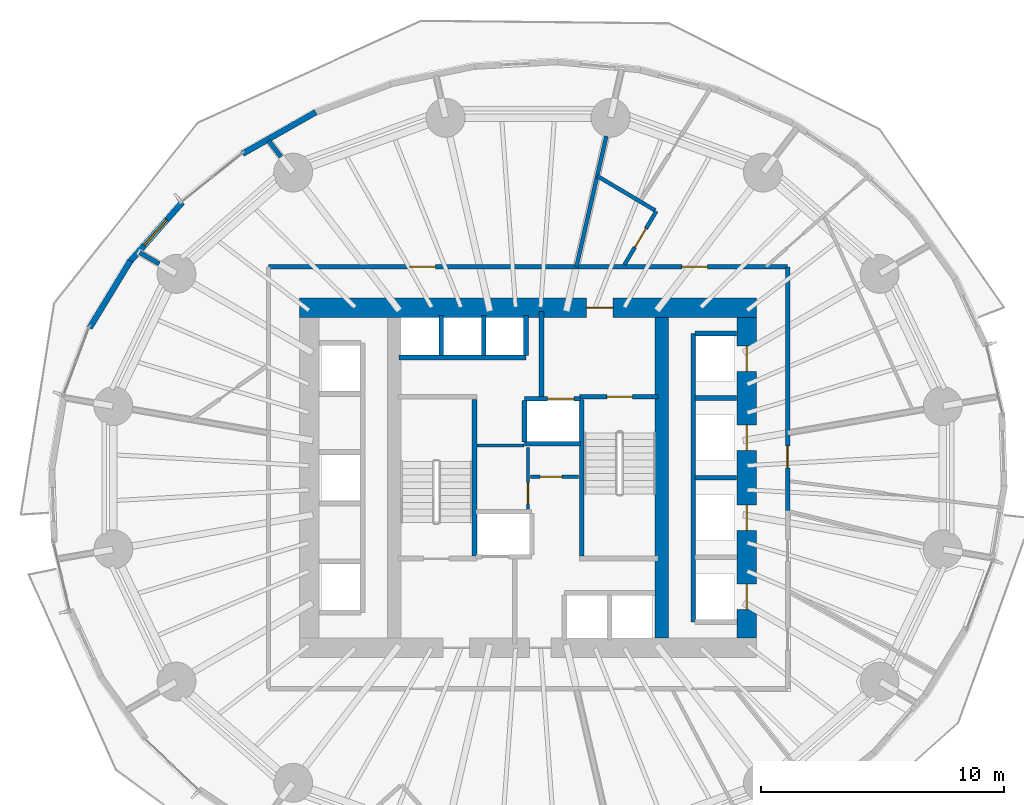
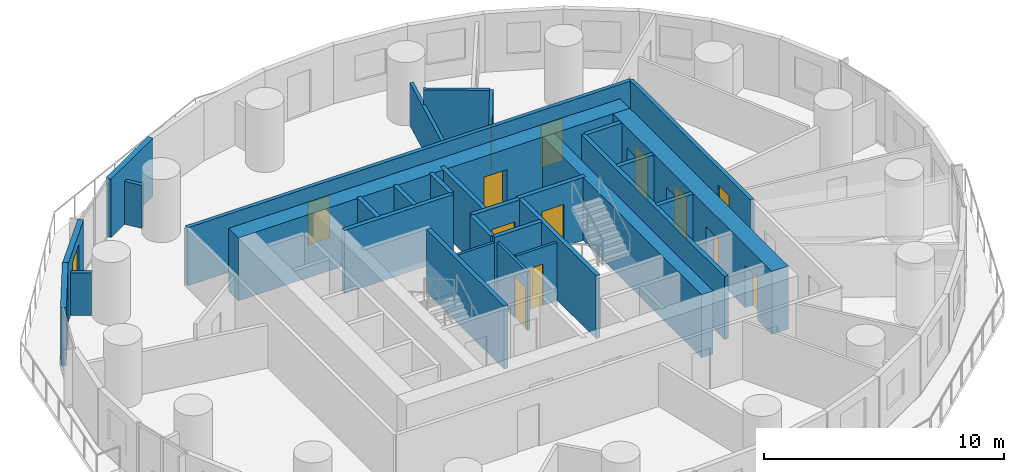
# One storey, part 8 of 14: 31 walls, 13 doors, 1 window, 14 openings.
"""IFC4 building model written with IfcOpenShell, lengths in metres."""

from ifc_helpers import new_model, si_unit, direction, frame, frame_2d, origin, place, context, subcontext, project, spatial, rectangle, extrude, material, layer, layer_set, type_object, element, fill, save


model = new_model("IFC4")

# Units and contexts
model_context = context("Model", 3, precision=1e-05, world=origin(), true_north=direction((0.0, 1.0)))
body_context = subcontext(model_context, "Body", "Model", "MODEL_VIEW")
ifc_project = project(units=[si_unit("LENGTHUNIT", "METRE"), si_unit("AREAUNIT", "SQUARE_METRE"), si_unit("VOLUMEUNIT", "CUBIC_METRE"), si_unit("PLANEANGLEUNIT", "RADIAN"), si_unit("MASSUNIT", "GRAM", prefix="KILO")], contexts=[model_context])

# Site, building, storey
site_placement = place(None, origin())
site = spatial("IfcSite", under=ifc_project, at=site_placement, CompositionType="ELEMENT")
building_placement = place(site_placement, origin())
building = spatial("IfcBuilding", under=site, at=building_placement, Name="Veldorim Arch Residences", CompositionType="ELEMENT")
storey_placement = place(building_placement, frame((0.0, 0.0, 40.800048828125)))
storey = spatial("IfcBuildingStorey", under=building, at=storey_placement, Name="L11", CompositionType="ELEMENT", Elevation=40.800048828125)

# Wall, opening, door
ifc_material_1 = material(Name="Acoustic Gypsum Board", Category="gypsum")
ifc_layer_1 = layer(ifc_material_1, 0.125, Name="Acoustic Stud Room Partition Wall 125")
ifc_layer_set_1 = layer_set([ifc_layer_1], Name="Acoustic Gypsum Board")
wall_type_1 = type_object("IfcWallType", Name="Acoustic Stud Room Partition Wall 125", PredefinedType="PARTITIONING", material=ifc_layer_set_1)
wall_1_placement = place(storey_placement, frame((32.0, 22.719970703125, 0.0), z_axis=(0.0, 0.0, 1.0), x_axis=(0.0, 1.0, 0.0)))
wall_1 = element("IfcWall", 1, at=wall_1_placement, inside=storey, type_object=wall_type_1, Name="L11 interior wall WL-CA-L11-1", PredefinedType="PARTITIONING", context=body_context, shape_type="SweptSolid", body=[
    extrude(rectangle(XDim=2.52001953125, YDim=0.125, at=frame_2d((1.260009765625, 0.0))), origin(), (0.0, 0.0, 1.0), 2.954833984375),
])
opening_1_placement = place(wall_1_placement, frame((0.179931640625, 0.0, 0.0)))
opening_1 = element("IfcOpeningElement", 2, at=opening_1_placement, cuts=wall_1, Name="Opening DR-SVC", PredefinedType="OPENING", context=body_context, shape_type="SweptSolid", body=[
    extrude(rectangle(XDim=0.89990234375, YDim=2.10009765625, at=frame_2d((0.449951171875, 1.050048828125))), frame((0.0, 0.072509765625, 0.0), z_axis=(0.0, -1.0, 0.0), x_axis=(1.0, 0.0, 0.0)), (0.0, 0.0, 1.0), 0.14501953125),
])
ifc_material_2 = material(Name="Fire-Rated Steel", Category="steel")
door_type_1 = type_object("IfcDoorType", Name="Riser, Shelter & Plant Room Rated Steel Door 900x2100", OperationType="SINGLE_SWING_LEFT", PredefinedType="DOOR", material=ifc_material_2)
door_1_placement = place(opening_1_placement, origin())
door_1 = element("IfcDoor", 3, at=door_1_placement, inside=storey, type_object=door_type_1, Name="L11 interior door DR-L11-CA2", OperationType="SINGLE_SWING_RIGHT", OverallHeight=2.10009765625, OverallWidth=0.89990234375, PredefinedType="DOOR", context=body_context, shape_type="SweptSolid", body=[
    extrude(rectangle(XDim=0.89990234375, YDim=2.10009765625, at=frame_2d((0.449951171875, 1.050048828125))), frame((0.0, 0.02490234375, 0.0), z_axis=(0.0, -1.0, 0.0), x_axis=(1.0, 0.0, 0.0)), (0.0, 0.0, 1.0), 0.050048828125),
])
fill(opening_1, door_1)

wall_2_placement = place(storey_placement, frame((32.110107421875, 24.0400390625, 0.0), z_axis=(0.0, 0.0, 1.0), x_axis=(1.0, 0.0, 0.0)))
wall_2 = element("IfcWall", 4, at=wall_2_placement, inside=storey, type_object=wall_type_1, Name="L11 interior wall WL-CA-L11-3", PredefinedType="PARTITIONING", context=body_context, shape_type="SweptSolid", body=[
    extrude(rectangle(XDim=1.969970703125, YDim=0.125, at=frame_2d((0.98486328125, 0.0))), origin(), (0.0, 0.0, 1.0), 2.954833984375),
])
opening_2_placement = place(wall_2_placement, frame((0.389892578125, 0.0, 0.0)))
opening_2 = element("IfcOpeningElement", 5, at=opening_2_placement, cuts=wall_2, Name="Opening DR-INT", PredefinedType="OPENING", context=body_context, shape_type="SweptSolid", body=[
    extrude(rectangle(XDim=0.89990234375, YDim=2.10009765625, at=frame_2d((0.449951171875, 1.050048828125))), frame((0.0, 0.072509765625, 0.0), z_axis=(0.0, -1.0, 0.0), x_axis=(1.0, 0.0, 0.0)), (0.0, 0.0, 1.0), 0.14501953125),
])
ifc_material_3 = material(Name="Engineered Timber", Category="wood")
door_type_2 = type_object("IfcDoorType", Name="Apartment Internal Room Timber Door 900x2100", OperationType="SINGLE_SWING_LEFT", PredefinedType="DOOR", material=ifc_material_3)
door_2_placement = place(opening_2_placement, origin())
door_2 = element("IfcDoor", 6, at=door_2_placement, inside=storey, type_object=door_type_2, Name="L11 interior door DR-L11-CA1", OperationType="SINGLE_SWING_LEFT", OverallHeight=2.10009765625, OverallWidth=0.89990234375, PredefinedType="DOOR", context=body_context, shape_type="SweptSolid", body=[
    extrude(rectangle(XDim=0.89990234375, YDim=2.10009765625, at=frame_2d((0.449951171875, 1.050048828125))), frame((0.0, 0.02490234375, 0.0), z_axis=(0.0, -1.0, 0.0), x_axis=(1.0, 0.0, 0.0)), (0.0, 0.0, 1.0), 0.050048828125),
])
fill(opening_2, door_2)

# Walls
wall_3_placement = place(storey_placement, frame((29.889892578125, 25.330078125, 0.0), z_axis=(0.0, 0.0, 1.0), x_axis=(1.0, 0.0, 0.0)))
element("IfcWall", 7, at=wall_3_placement, inside=storey, type_object=wall_type_1, Name="L11 interior wall WL-CA-L11-N", PredefinedType="PARTITIONING", context=body_context, shape_type="SweptSolid", body=[
    extrude(rectangle(XDim=1.940185546875, YDim=0.125, at=frame_2d((0.97021484375, 0.0))), origin(), (0.0, 0.0, 1.0), 2.954833984375),
])
ifc_material_4 = material(Name="Lightweight Masonry Block & Gypsum", Category="masonry")
ifc_layer_2 = layer(ifc_material_4, 0.179931640625, Name="Compartment & Corridor Fire-Rated Party Wall 180")
ifc_layer_set_2 = layer_set([ifc_layer_2], Name="Lightweight Masonry Block & Gypsum")
wall_type_2 = type_object("IfcWallType", Name="Compartment & Corridor Fire-Rated Party Wall 180", PredefinedType="PARTITIONING", material=ifc_layer_set_2)
wall_4_placement = place(storey_placement, frame((21.832763671875, 37.204833984375, 0.0), z_axis=(0.0, 0.0, 1.0), x_axis=(-0.609822176225, 0.792538272504, 0.0)))
element("IfcWall", 8, at=wall_4_placement, inside=storey, type_object=wall_type_2, Name="L11 interior wall WL-PIER-L11-06", PredefinedType="PARTITIONING", context=body_context, shape_type="SweptSolid", body=[
    extrude(rectangle(XDim=0.84716796875, YDim=0.179931640625, at=frame_2d((0.423583984375, 0.0))), origin(), (0.0, 0.0, 1.0), 2.17822265625),
])
wall_5_placement = place(storey_placement, frame((16.822998046875, 32.80029296875, 0.0), z_axis=(0.0, 0.0, 1.0), x_axis=(-0.864965183009, 0.501831876411, 0.0)))
element("IfcWall", 9, at=wall_5_placement, inside=storey, type_object=wall_type_2, Name="L11 interior wall WL-PIER-L11-07", PredefinedType="PARTITIONING", context=body_context, shape_type="SweptSolid", body=[
    extrude(rectangle(XDim=0.93115234375, YDim=0.179931640625, at=frame_2d((0.465576171875, 0.0))), origin(), (0.0, 0.0, 1.0), 2.17822265625),
])

# Wall, opening, door
wall_6_placement = place(storey_placement, frame((42.679931640625, 32.679931640625, 0.0), z_axis=(0.0, 0.0, 1.0), x_axis=(0.0, -1.0, 0.0)))
wall_6 = element("IfcWall", 10, at=wall_6_placement, inside=storey, type_object=wall_type_2, Name="L11 interior wall WL-RES-L11-001", PredefinedType="PARTITIONING", context=body_context, shape_type="SweptSolid", body=[
    extrude(rectangle(XDim=10.06494140625, YDim=0.179931640625, at=frame_2d((5.032470703125, 0.0))), origin(), (0.0, 0.0, 1.0), 2.954833984375),
])
opening_3_placement = place(wall_6_placement, frame((7.3740234375, 0.0, 0.0)))
opening_3 = element("IfcOpeningElement", 11, at=opening_3_placement, cuts=wall_6, Name="Opening DR-SVC", PredefinedType="OPENING", context=body_context, shape_type="SweptSolid", body=[
    extrude(rectangle(XDim=0.89990234375, YDim=2.10009765625, at=frame_2d((0.449951171875, 1.050048828125))), frame((0.0, 0.099853515625, 0.0), z_axis=(0.0, -1.0, 0.0), x_axis=(1.0, 0.0, 0.0)), (0.0, 0.0, 1.0), 0.199951171875),
])
door_3_placement = place(opening_3_placement, origin())
door_3 = element("IfcDoor", 12, at=door_3_placement, inside=storey, type_object=door_type_1, Name="L11 interior door DR-RES-L11-001", OperationType="SINGLE_SWING_LEFT", OverallHeight=2.10009765625, OverallWidth=0.89990234375, PredefinedType="DOOR", context=body_context, shape_type="SweptSolid", body=[
    extrude(rectangle(XDim=0.89990234375, YDim=2.10009765625, at=frame_2d((0.449951171875, 1.050048828125))), frame((0.0, 0.02490234375, 0.0), z_axis=(0.0, -1.0, 0.0), x_axis=(1.0, 0.0, 0.0)), (0.0, 0.0, 1.0), 0.050048828125),
])
fill(opening_3, door_3)

# Wall, openings, doors
wall_7_placement = place(storey_placement, frame((21.320068359375, 32.679931640625, 0.0), z_axis=(0.0, 0.0, 1.0), x_axis=(1.0, 0.0, 0.0)))
wall_7 = element("IfcWall", 13, at=wall_7_placement, inside=storey, type_object=wall_type_2, Name="L11 interior wall WL-RES-L11-004", PredefinedType="PARTITIONING", context=body_context, shape_type="SweptSolid", body=[
    extrude(rectangle(XDim=21.35986328125, YDim=0.179931640625, at=frame_2d((10.679931640625, 0.0))), origin(), (0.0, 0.0, 1.0), 2.954833984375),
])
opening_4_placement = place(wall_7_placement, frame((17.013427734375, 0.0, 0.0)))
opening_4 = element("IfcOpeningElement", 14, at=opening_4_placement, cuts=wall_7, Name="Opening DR-FLT", PredefinedType="OPENING", context=body_context, shape_type="SweptSolid", body=[
    extrude(rectangle(XDim=1.050048828125, YDim=2.14990234375, at=frame_2d((0.52490234375, 1.074951171875))), frame((0.0, 0.099853515625, 0.0), z_axis=(0.0, -1.0, 0.0), x_axis=(1.0, 0.0, 0.0)), (0.0, 0.0, 1.0), 0.199951171875),
])
opening_5_placement = place(wall_7_placement, frame((5.820068359375, 0.0, 0.0)))
opening_5 = element("IfcOpeningElement", 15, at=opening_5_placement, cuts=wall_7, Name="Opening DR-FLT", PredefinedType="OPENING", context=body_context, shape_type="SweptSolid", body=[
    extrude(rectangle(XDim=1.050048828125, YDim=2.14990234375, at=frame_2d((0.52490234375, 1.074951171875))), frame((0.0, 0.099853515625, 0.0), z_axis=(0.0, -1.0, 0.0), x_axis=(1.0, 0.0, 0.0)), (0.0, 0.0, 1.0), 0.199951171875),
])
ifc_material_5 = material(Name="Fire-Rated Timber", Category="wood")
door_type_3 = type_object("IfcDoorType", Name="Apartment Entrance Solid-Core Fire Door 1050x2150", OperationType="SINGLE_SWING_LEFT", PredefinedType="DOOR", material=ifc_material_5)
door_4_placement = place(opening_4_placement, origin())
door_4 = element("IfcDoor", 16, at=door_4_placement, inside=storey, type_object=door_type_3, Name="L11 interior door DR-RES-L11-007", OperationType="SINGLE_SWING_LEFT", OverallHeight=2.14990234375, OverallWidth=1.050048828125, PredefinedType="DOOR", context=body_context, shape_type="SweptSolid", body=[
    extrude(rectangle(XDim=1.050048828125, YDim=2.14990234375, at=frame_2d((0.52490234375, 1.074951171875))), frame((0.0, 0.02490234375, 0.0), z_axis=(0.0, -1.0, 0.0), x_axis=(1.0, 0.0, 0.0)), (0.0, 0.0, 1.0), 0.050048828125),
])
fill(opening_4, door_4)
door_5_placement = place(opening_5_placement, origin())
door_5 = element("IfcDoor", 17, at=door_5_placement, inside=storey, type_object=door_type_3, Name="L11 interior door DR-RES-L11-012", OperationType="SINGLE_SWING_RIGHT", OverallHeight=2.14990234375, OverallWidth=1.050048828125, PredefinedType="DOOR", context=body_context, shape_type="SweptSolid", body=[
    extrude(rectangle(XDim=1.050048828125, YDim=2.14990234375, at=frame_2d((0.52490234375, 1.074951171875))), frame((0.0, 0.02490234375, 0.0), z_axis=(0.0, -1.0, 0.0), x_axis=(1.0, 0.0, 0.0)), (0.0, 0.0, 1.0), 0.050048828125),
])
fill(opening_5, door_5)

# Walls
ifc_material_6 = material(Name="Concrete C50/60", Category="concrete")
ifc_layer_3 = layer(ifc_material_6, 0.199951171875, Name="Core Stair & Lift Shaft Enclosure Wall 200")
ifc_layer_set_3 = layer_set([ifc_layer_3], Name="Concrete C50/60")
wall_type_3 = type_object("IfcWallType", Name="Core Stair & Lift Shaft Enclosure Wall 200", PredefinedType="SHEAR", material=ifc_layer_set_3)
for number, where, z_axis, x_axis, name in (
    (18, (29.7900390625, 20.780029296875, 0.0), (0.0, 0.0, 1.0), (0.0, 1.0, 0.0), "L11 shaft wall WL-SHF-L11-ST1-E"),
    (19, (34.2099609375, 20.780029296875, 0.0), (0.0, 0.0, 1.0), (0.0, 1.0, 0.0), "L11 shaft wall WL-SHF-L11-ST2-W"),
):
    element("IfcWall", number, at=place(storey_placement, frame(where, z_axis=z_axis, x_axis=x_axis)), inside=storey, type_object=wall_type_3, Name=name, PredefinedType="SHEAR", context=body_context, shape_type="SweptSolid", body=[
        extrude(rectangle(XDim=6.43994140625, YDim=0.199951171875, at=frame_2d((3.219970703125, 0.0))), origin(), (0.0, 0.0, 1.0), 3.199951171875),
    ])

# Wall, opening, door
wall_8_placement = place(storey_placement, frame((34.110107421875, 27.330078125, 0.0), z_axis=(0.0, 0.0, 1.0), x_axis=(1.0, 0.0, 0.0)))
wall_8 = element("IfcWall", 20, at=wall_8_placement, inside=storey, type_object=wall_type_3, Name="L11 shaft wall WL-SHF-L11-ST2-N", PredefinedType="SHEAR", context=body_context, shape_type="SweptSolid", body=[
    extrude(rectangle(XDim=3.239990234375, YDim=0.199951171875, at=frame_2d((1.6201171875, 0.0))), origin(), (0.0, 0.0, 1.0), 3.199951171875),
])
opening_6_placement = place(wall_8_placement, frame((1.135009765625, 0.0, 0.0)))
opening_6 = element("IfcOpeningElement", 21, at=opening_6_placement, cuts=wall_8, Name="Opening DR-ST", PredefinedType="OPENING", context=body_context, shape_type="SweptSolid", body=[
    extrude(rectangle(XDim=1.050048828125, YDim=2.14990234375, at=frame_2d((0.52490234375, 1.074951171875))), frame((0.0, 0.10986328125, 0.0), z_axis=(0.0, -1.0, 0.0), x_axis=(1.0, 0.0, 0.0)), (0.0, 0.0, 1.0), 0.219970703125),
])
ifc_material_7 = material(Name="Fire-Rated Steel", Category="steel")
door_type_4 = type_object("IfcDoorType", Name="Exit Staircase Self-Closing Fire Door 1050x2150", OperationType="SINGLE_SWING_LEFT", PredefinedType="DOOR", material=ifc_material_7)
door_6_placement = place(opening_6_placement, origin())
door_6 = element("IfcDoor", 22, at=door_6_placement, inside=storey, type_object=door_type_4, Name="L11 interior door DR-L11-ST2", OperationType="SINGLE_SWING_RIGHT", OverallHeight=2.14990234375, OverallWidth=1.050048828125, PredefinedType="DOOR", context=body_context, shape_type="SweptSolid", body=[
    extrude(rectangle(XDim=1.050048828125, YDim=2.14990234375, at=frame_2d((0.52490234375, 1.074951171875))), frame((0.0, 0.02490234375, 0.0), z_axis=(0.0, -1.0, 0.0), x_axis=(1.0, 0.0, 0.0)), (0.0, 0.0, 1.0), 0.050048828125),
])
fill(opening_6, door_6)

# Wall
wall_9_placement = place(storey_placement, frame((32.550048828125, 27.35009765625, 0.0), z_axis=(0.0, 0.0, 1.0), x_axis=(0.0, 1.0, 0.0)))
element("IfcWall", 23, at=wall_9_placement, inside=storey, type_object=wall_type_3, Name="L11 shaft wall WL-FFL2-L11-W", PredefinedType="SHEAR", context=body_context, shape_type="SweptSolid", body=[
    extrude(rectangle(XDim=3.5, YDim=0.199951171875, at=frame_2d((1.75, 0.0))), origin(), (0.0, 0.0, 1.0), 3.199951171875),
])

# Wall, opening, door
wall_10_placement = place(storey_placement, frame((31.85009765625, 27.25, 0.0), z_axis=(0.0, 0.0, 1.0), x_axis=(1.0, 0.0, 0.0)))
wall_10 = element("IfcWall", 24, at=wall_10_placement, inside=storey, type_object=wall_type_3, Name="L11 shaft wall WL-FL02-L11-N", PredefinedType="SHEAR", context=body_context, shape_type="SweptSolid", body=[
    extrude(rectangle(XDim=2.2998046875, YDim=0.199951171875, at=frame_2d((1.14990234375, 0.0))), origin(), (0.0, 0.0, 1.0), 3.199951171875),
])
opening_7_placement = place(wall_10_placement, frame((0.949951171875, 0.0, 0.0)))
opening_7 = element("IfcOpeningElement", 25, at=opening_7_placement, cuts=wall_10, Name="Opening LD-FF", PredefinedType="OPENING", context=body_context, shape_type="SweptSolid", body=[
    extrude(rectangle(XDim=1.10009765625, YDim=2.14990234375, at=frame_2d((0.550048828125, 1.074951171875))), frame((0.0, 0.10986328125, 0.0), z_axis=(0.0, -1.0, 0.0), x_axis=(1.0, 0.0, 0.0)), (0.0, 0.0, 1.0), 0.219970703125),
])
ifc_material_8 = material(Name="Stainless Steel", Category="steel")
door_type_5 = type_object("IfcDoorType", Name="Firefighting Lift Bi-Parting Sliding Landing Door 1100x2150", OperationType="DOUBLE_DOOR_SLIDING", PredefinedType="DOOR", material=ifc_material_8)
door_7_placement = place(opening_7_placement, origin())
door_7 = element("IfcDoor", 26, at=door_7_placement, inside=storey, type_object=door_type_5, Name="L11 lift landing door LD-L11-FL02", OperationType="DOUBLE_DOOR_SLIDING", OverallHeight=2.14990234375, OverallWidth=1.10009765625, PredefinedType="DOOR", context=body_context, shape_type="SweptSolid", body=[
    extrude(rectangle(XDim=1.10009765625, YDim=2.14990234375, at=frame_2d((0.550048828125, 1.074951171875))), frame((0.0, 0.02490234375, 0.0), z_axis=(0.0, -1.0, 0.0), x_axis=(1.0, 0.0, 0.0)), (0.0, 0.0, 1.0), 0.050048828125),
])
fill(opening_7, door_7)

# Walls
wall_11_placement = place(storey_placement, frame((31.85009765625, 25.39990234375, 0.0), z_axis=(0.0, 0.0, 1.0), x_axis=(1.0, 0.0, 0.0)))
element("IfcWall", 27, at=wall_11_placement, inside=storey, type_object=wall_type_3, Name="L11 shaft wall WL-FL02-L11-S", PredefinedType="SHEAR", context=body_context, shape_type="SweptSolid", body=[
    extrude(rectangle(XDim=2.2998046875, YDim=0.199951171875, at=frame_2d((1.14990234375, 0.0))), origin(), (0.0, 0.0, 1.0), 3.199951171875),
])
wall_12_placement = place(storey_placement, frame((31.85009765625, 25.469970703125, 0.0), z_axis=(0.0, 0.0, 1.0), x_axis=(0.0, 1.0, 0.0)))
element("IfcWall", 28, at=wall_12_placement, inside=storey, type_object=wall_type_3, Name="L11 shaft wall WL-FL02-L11-W", PredefinedType="SHEAR", context=body_context, shape_type="SweptSolid", body=[
    extrude(rectangle(XDim=1.7099609375, YDim=0.199951171875, at=frame_2d((0.85498046875, 0.0))), origin(), (0.0, 0.0, 1.0), 3.199951171875),
])
wall_13_placement = place(storey_placement, frame((38.800048828125, 18.06005859375, 0.0), z_axis=(0.0, 0.0, 1.0), x_axis=(0.0, 1.0, 0.0)))
element("IfcWall", 29, at=wall_13_placement, inside=storey, type_object=wall_type_3, Name="L11 shaft wall WL-B1-L11-W", PredefinedType="SHEAR", context=body_context, shape_type="SweptSolid", body=[
    extrude(rectangle(XDim=11.8798828125, YDim=0.199951171875, at=frame_2d((5.93994140625, 0.0))), origin(), (0.0, 0.0, 1.0), 3.199951171875),
])
for number, where, z_axis, x_axis, name in (
    (30, (38.8701171875, 29.93994140625, 0.0), (0.0, 0.0, 1.0), (1.0, 0.0, 0.0), "L11 shaft wall WL-B1-L11-N"),
    (31, (38.8701171875, 24.0, 0.0), (0.0, 0.0, 1.0), (1.0, 0.0, 0.0), "L11 shaft wall WL-B1-L11-D2"),
    (32, (38.8701171875, 27.27490234375, 0.0), (0.0, 0.0, 1.0), (1.0, 0.0, 0.0), "L11 shaft wall WL-B1-L11-D3"),
):
    element("IfcWall", number, at=place(storey_placement, frame(where, z_axis=z_axis, x_axis=x_axis)), inside=storey, type_object=wall_type_3, Name=name, PredefinedType="SHEAR", context=body_context, shape_type="SweptSolid", body=[
        extrude(rectangle(XDim=1.7099609375, YDim=0.199951171875, at=frame_2d((0.85498046875, 0.0))), origin(), (0.0, 0.0, 1.0), 3.199951171875),
    ])
wall_14_placement = place(storey_placement, frame((26.679931640625, 28.949951171875, 0.0), z_axis=(0.0, 0.0, 1.0), x_axis=(1.0, 0.0, 0.0)))
element("IfcWall", 33, at=wall_14_placement, inside=storey, type_object=wall_type_3, Name="L11 shaft wall WL-B3-L11-S", PredefinedType="SHEAR", context=body_context, shape_type="SweptSolid", body=[
    extrude(rectangle(XDim=5.239990234375, YDim=0.199951171875, at=frame_2d((2.6201171875, 0.0))), origin(), (0.0, 0.0, 1.0), 3.199951171875),
])
for number, where, z_axis, x_axis, name in (
    (34, (31.919921875, 29.02001953125, 0.0), (0.0, 0.0, 1.0), (0.0, 1.0, 0.0), "L11 shaft wall WL-B3-L11-E"),
    (35, (28.425048828125, 29.02001953125, 0.0), (0.0, 0.0, 1.0), (0.0, 1.0, 0.0), "L11 shaft wall WL-B3-L11-D1"),
    (36, (30.175048828125, 29.02001953125, 0.0), (0.0, 0.0, 1.0), (0.0, 1.0, 0.0), "L11 shaft wall WL-B3-L11-D2"),
):
    element("IfcWall", number, at=place(storey_placement, frame(where, z_axis=z_axis, x_axis=x_axis)), inside=storey, type_object=wall_type_3, Name=name, PredefinedType="SHEAR", context=body_context, shape_type="SweptSolid", body=[
        extrude(rectangle(XDim=1.659912109375, YDim=0.199951171875, at=frame_2d((0.830078125, 0.0))), origin(), (0.0, 0.0, 1.0), 3.199951171875),
    ])
ifc_material_9 = material(Name="Concrete C60/75", Category="concrete")
ifc_layer_4 = layer(ifc_material_9, 0.56005859375, Name="Internal Core Shear Web Wall 560")
ifc_layer_set_4 = layer_set([ifc_layer_4], Name="Concrete C60/75")
wall_type_4 = type_object("IfcWallType", Name="Internal Core Shear Web Wall 560", PredefinedType="SHEAR", material=ifc_layer_set_4)
wall_15_placement = place(storey_placement, frame((37.5, 17.39990234375, 0.0), z_axis=(0.0, 0.0, 1.0), x_axis=(0.0, 1.0, 0.0)))
element("IfcWall", 37, at=wall_15_placement, inside=storey, type_object=wall_type_4, Name="L11 core east internal shear web", PredefinedType="SHEAR", context=body_context, shape_type="SweptSolid", body=[
    extrude(rectangle(XDim=13.2001953125, YDim=0.56005859375, at=frame_2d((6.60009765625, 0.0))), origin(), (0.0, 0.0, 1.0), 3.199951171875),
])

# Wall, opening, door
ifc_material_10 = material(Name="Concrete C60/75", Category="concrete")
ifc_layer_5 = layer(ifc_material_10, 0.800048828125, Name="Lower Central Core Shear Wall 800")
ifc_layer_set_5 = layer_set([ifc_layer_5], Name="Concrete C60/75")
wall_type_5 = type_object("IfcWallType", Name="Lower Central Core Shear Wall 800", PredefinedType="SHEAR", material=ifc_layer_set_5)
wall_16_placement = place(storey_placement, frame((22.60009765625, 31.0, 0.0), z_axis=(0.0, 0.0, 1.0), x_axis=(1.0, 0.0, 0.0)))
wall_16 = element("IfcWall", 38, at=wall_16_placement, inside=storey, type_object=wall_type_5, Name="L11 central core north shear wall", PredefinedType="SHEAR", context=body_context, shape_type="SweptSolid", body=[
    extrude(rectangle(XDim=18.7998046875, YDim=0.800048828125, at=frame_2d((9.39990234375, 0.0))), origin(), (0.0, 0.0, 1.0), 3.199951171875),
])
opening_8_placement = place(wall_16_placement, frame((11.800048828125, 0.0, 0.0)))
opening_8 = element("IfcOpeningElement", 39, at=opening_8_placement, cuts=wall_16, Name="Opening DR-FFL", PredefinedType="OPENING", context=body_context, shape_type="SweptSolid", body=[
    extrude(rectangle(XDim=1.10009765625, YDim=2.14990234375, at=frame_2d((0.550048828125, 1.074951171875))), frame((0.0, 0.409912109375, 0.0), z_axis=(0.0, -1.0, 0.0), x_axis=(1.0, 0.0, 0.0)), (0.0, 0.0, 1.0), 0.820068359375),
])
ifc_material_11 = material(Name="Fire-Rated Steel & Vision Glass", Category="steel")
door_type_6 = type_object("IfcDoorType", Name="Firefighting Lobby Smoke-Stop Fire Door 1100x2150", OperationType="SINGLE_SWING_LEFT", PredefinedType="DOOR", material=ifc_material_11)
door_8_placement = place(opening_8_placement, origin())
door_8 = element("IfcDoor", 40, at=door_8_placement, inside=storey, type_object=door_type_6, Name="L11 interior door DR-L11-FFL2", OperationType="SINGLE_SWING_LEFT", OverallHeight=2.14990234375, OverallWidth=1.10009765625, PredefinedType="DOOR", context=body_context, shape_type="SweptSolid", body=[
    extrude(rectangle(XDim=1.10009765625, YDim=2.14990234375, at=frame_2d((0.550048828125, 1.074951171875))), frame((0.0, 0.02490234375, 0.0), z_axis=(0.0, -1.0, 0.0), x_axis=(1.0, 0.0, 0.0)), (0.0, 0.0, 1.0), 0.050048828125),
])
fill(opening_8, door_8)

# Wall, openings, doors
wall_17_placement = place(storey_placement, frame((41.0, 17.39990234375, 0.0), z_axis=(0.0, 0.0, 1.0), x_axis=(0.0, 1.0, 0.0)))
wall_17 = element("IfcWall", 41, at=wall_17_placement, inside=storey, type_object=wall_type_5, Name="L11 central core east shear wall", PredefinedType="SHEAR", context=body_context, shape_type="SweptSolid", body=[
    extrude(rectangle(XDim=13.2001953125, YDim=0.800048828125, at=frame_2d((6.60009765625, 0.0))), origin(), (0.0, 0.0, 1.0), 3.199951171875),
])
opening_9_placement = place(wall_17_placement, frame((1.175048828125, 0.0, 0.0)))
opening_9 = element("IfcOpeningElement", 42, at=opening_9_placement, cuts=wall_17, Name="Opening LD-PS", PredefinedType="OPENING", context=body_context, shape_type="SweptSolid", body=[
    extrude(rectangle(XDim=1.050048828125, YDim=2.14990234375, at=frame_2d((0.52490234375, 1.074951171875))), frame((0.0, 0.409912109375, 0.0), z_axis=(0.0, -1.0, 0.0), x_axis=(1.0, 0.0, 0.0)), (0.0, 0.0, 1.0), 0.820068359375),
])
opening_10_placement = place(wall_17_placement, frame((4.425048828125, 0.0, 0.0)))
opening_10 = element("IfcOpeningElement", 43, at=opening_10_placement, cuts=wall_17, Name="Opening LD-PS", PredefinedType="OPENING", context=body_context, shape_type="SweptSolid", body=[
    extrude(rectangle(XDim=1.050048828125, YDim=2.14990234375, at=frame_2d((0.52490234375, 1.074951171875))), frame((0.0, 0.409912109375, 0.0), z_axis=(0.0, -1.0, 0.0), x_axis=(1.0, 0.0, 0.0)), (0.0, 0.0, 1.0), 0.820068359375),
])
opening_11_placement = place(wall_17_placement, frame((7.72509765625, 0.0, 0.0)))
opening_11 = element("IfcOpeningElement", 44, at=opening_11_placement, cuts=wall_17, Name="Opening LD-PS", PredefinedType="OPENING", context=body_context, shape_type="SweptSolid", body=[
    extrude(rectangle(XDim=1.050048828125, YDim=2.14990234375, at=frame_2d((0.52490234375, 1.074951171875))), frame((0.0, 0.409912109375, 0.0), z_axis=(0.0, -1.0, 0.0), x_axis=(1.0, 0.0, 0.0)), (0.0, 0.0, 1.0), 0.820068359375),
])
opening_12_placement = place(wall_17_placement, frame((10.97509765625, 0.0, 0.0)))
opening_12 = element("IfcOpeningElement", 45, at=opening_12_placement, cuts=wall_17, Name="Opening LD-PS", PredefinedType="OPENING", context=body_context, shape_type="SweptSolid", body=[
    extrude(rectangle(XDim=1.050048828125, YDim=2.14990234375, at=frame_2d((0.52490234375, 1.074951171875))), frame((0.0, 0.409912109375, 0.0), z_axis=(0.0, -1.0, 0.0), x_axis=(1.0, 0.0, 0.0)), (0.0, 0.0, 1.0), 0.820068359375),
])
ifc_material_12 = material(Name="Stainless Steel", Category="steel")
door_type_7 = type_object("IfcDoorType", Name="Passenger Lift Bi-Parting Sliding Landing Door 1050x2150", OperationType="DOUBLE_DOOR_SLIDING", PredefinedType="DOOR", material=ifc_material_12)
door_9_placement = place(opening_9_placement, origin())
door_9 = element("IfcDoor", 46, at=door_9_placement, inside=storey, type_object=door_type_7, Name="L11 lift landing door LD-L11-PL-01", OperationType="DOUBLE_DOOR_SLIDING", OverallHeight=2.14990234375, OverallWidth=1.050048828125, PredefinedType="DOOR", context=body_context, shape_type="SweptSolid", body=[
    extrude(rectangle(XDim=1.050048828125, YDim=2.14990234375, at=frame_2d((0.52490234375, 1.074951171875))), frame((0.0, 0.02490234375, 0.0), z_axis=(0.0, -1.0, 0.0), x_axis=(1.0, 0.0, 0.0)), (0.0, 0.0, 1.0), 0.050048828125),
])
fill(opening_9, door_9)
door_10_placement = place(opening_10_placement, origin())
door_10 = element("IfcDoor", 47, at=door_10_placement, inside=storey, type_object=door_type_7, Name="L11 lift landing door LD-L11-PL-02", OperationType="DOUBLE_DOOR_SLIDING", OverallHeight=2.14990234375, OverallWidth=1.050048828125, PredefinedType="DOOR", context=body_context, shape_type="SweptSolid", body=[
    extrude(rectangle(XDim=1.050048828125, YDim=2.14990234375, at=frame_2d((0.52490234375, 1.074951171875))), frame((0.0, 0.02490234375, 0.0), z_axis=(0.0, -1.0, 0.0), x_axis=(1.0, 0.0, 0.0)), (0.0, 0.0, 1.0), 0.050048828125),
])
fill(opening_10, door_10)
door_11_placement = place(opening_11_placement, origin())
door_11 = element("IfcDoor", 48, at=door_11_placement, inside=storey, type_object=door_type_7, Name="L11 lift landing door LD-L11-PL-03", OperationType="DOUBLE_DOOR_SLIDING", OverallHeight=2.14990234375, OverallWidth=1.050048828125, PredefinedType="DOOR", context=body_context, shape_type="SweptSolid", body=[
    extrude(rectangle(XDim=1.050048828125, YDim=2.14990234375, at=frame_2d((0.52490234375, 1.074951171875))), frame((0.0, 0.02490234375, 0.0), z_axis=(0.0, -1.0, 0.0), x_axis=(1.0, 0.0, 0.0)), (0.0, 0.0, 1.0), 0.050048828125),
])
fill(opening_11, door_11)
door_12_placement = place(opening_12_placement, origin())
door_12 = element("IfcDoor", 49, at=door_12_placement, inside=storey, type_object=door_type_7, Name="L11 lift landing door LD-L11-PL-04", OperationType="DOUBLE_DOOR_SLIDING", OverallHeight=2.14990234375, OverallWidth=1.050048828125, PredefinedType="DOOR", context=body_context, shape_type="SweptSolid", body=[
    extrude(rectangle(XDim=1.050048828125, YDim=2.14990234375, at=frame_2d((0.52490234375, 1.074951171875))), frame((0.0, 0.02490234375, 0.0), z_axis=(0.0, -1.0, 0.0), x_axis=(1.0, 0.0, 0.0)), (0.0, 0.0, 1.0), 0.050048828125),
])
fill(opening_12, door_12)

# Wall
ifc_material_13 = material(Name="Precast concrete C40/50", Category="concrete")
ifc_layer_6 = layer(ifc_material_13, 0.25, Name="Tower Terracotta Spandrel & Pier Wall 250")
ifc_layer_set_6 = layer_set([ifc_layer_6], Name="Precast concrete C40/50")
wall_type_6 = type_object("IfcWallType", Name="Tower Terracotta Spandrel & Pier Wall 250", PredefinedType="SOLIDWALL", material=ifc_layer_set_6)
wall_18_placement = place(storey_placement, frame((20.248779296875, 37.332763671875, 0.0), z_axis=(0.0, 0.0, 1.0), x_axis=(0.869389832426, 0.494126825091, 0.0)))
element("IfcWall", 50, at=wall_18_placement, inside=storey, type_object=wall_type_6, Name="L11 terracotta facade wall 12", PredefinedType="SOLIDWALL", context=body_context, shape_type="SweptSolid", body=[
    extrude(rectangle(XDim=3.465087890625, YDim=0.25, at=frame_2d((1.732421875, 0.0))), origin(), (0.0, 0.0, 1.0), 2.9599609375),
])

# Wall, opening, window
wall_19_placement = place(storey_placement, frame((15.573486328125, 32.847900390625, 0.0), z_axis=(0.0, 0.0, 1.0), x_axis=(0.662112398544, 0.749404544751, 0.0)))
wall_19 = element("IfcWall", 51, at=wall_19_placement, inside=storey, type_object=wall_type_6, Name="L11 terracotta facade wall 14", PredefinedType="SOLIDWALL", context=body_context, shape_type="SweptSolid", body=[
    extrude(rectangle(XDim=3.322509765625, YDim=0.25, at=frame_2d((1.6611328125, 0.0))), origin(), (0.0, 0.0, 1.0), 2.9599609375),
])
opening_13_placement = place(wall_19_placement, frame((0.9609375, 0.0, 0.85009765625)))
opening_13 = element("IfcOpeningElement", 52, at=opening_13_placement, cuts=wall_19, Name="Opening WN-02", PredefinedType="OPENING", context=body_context, shape_type="SweptSolid", body=[
    extrude(rectangle(XDim=1.39990234375, YDim=1.550048828125, at=frame_2d((0.699951171875, 0.77490234375))), frame((0.0, 0.135009765625, 0.0), z_axis=(0.0, -1.0, 0.0), x_axis=(1.0, 0.0, 0.0)), (0.0, 0.0, 1.0), 0.27001953125),
])
ifc_material_14 = material(Name="Laminated Low-E Glass", Category="glass")
window_type = type_object("IfcWindowType", Name="Residential Casement Window 1400x1550", PartitioningType="SINGLE_PANEL", PredefinedType="WINDOW", material=ifc_material_14)
window_placement = place(opening_13_placement, origin())
window = element("IfcWindow", 53, at=window_placement, inside=storey, type_object=window_type, Name="L11 solar-control facade window 14", OverallHeight=1.550048828125, OverallWidth=1.39990234375, PartitioningType="SINGLE_PANEL", PredefinedType="WINDOW", context=body_context, shape_type="SweptSolid", body=[
    extrude(rectangle(XDim=1.39990234375, YDim=1.550048828125, at=frame_2d((0.699951171875, 0.77490234375))), frame((0.0, 0.030029296875, 0.0), z_axis=(0.0, -1.0, 0.0), x_axis=(1.0, 0.0, 0.0)), (0.0, 0.0, 1.0), 0.06005859375),
])
fill(opening_13, window)

# Wall
wall_20_placement = place(storey_placement, frame((13.95361328125, 30.166015625, 0.0), z_axis=(0.0, 0.0, 1.0), x_axis=(0.519753566346, 0.854316235519, 0.0)))
element("IfcWall", 54, at=wall_20_placement, inside=storey, type_object=wall_type_6, Name="L11 terracotta facade wall 15", PredefinedType="SOLIDWALL", context=body_context, shape_type="SweptSolid", body=[
    extrude(rectangle(XDim=3.244384765625, YDim=0.25, at=frame_2d((1.6220703125, 0.0))), origin(), (0.0, 0.0, 1.0), 2.9599609375),
])

# Wall, opening, door
ifc_material_15 = material(Name="Moisture-Resistant Gypsum & Stud", Category="gypsum")
ifc_layer_7 = layer(ifc_material_15, 0.159912109375, Name="Wet-Area Moisture-Resistant Plumbing Wall 160")
ifc_layer_set_7 = layer_set([ifc_layer_7], Name="Moisture-Resistant Gypsum & Stud")
wall_type_7 = type_object("IfcWallType", Name="Wet-Area Moisture-Resistant Plumbing Wall 160", PredefinedType="PLUMBINGWALL", material=ifc_layer_set_7)
wall_21_placement = place(storey_placement, frame((35.96875, 32.76611328125, 0.0), z_axis=(0.0, 0.0, 1.0), x_axis=(0.51079395194, 0.859703168926, 0.0)))
wall_21 = element("IfcWall", 55, at=wall_21_placement, inside=storey, type_object=wall_type_7, Name="L11 interior wall WL-RES-L11-015", PredefinedType="PLUMBINGWALL", context=body_context, shape_type="SweptSolid", body=[
    extrude(rectangle(XDim=2.563720703125, YDim=0.159912109375, at=frame_2d((1.28173828125, 0.0))), origin(), (0.0, 0.0, 1.0), 2.954833984375),
])
opening_14_placement = place(wall_21_placement, frame((0.831787109375, 0.0, 0.0)))
opening_14 = element("IfcOpeningElement", 56, at=opening_14_placement, cuts=wall_21, Name="Opening DR-INT", PredefinedType="OPENING", context=body_context, shape_type="SweptSolid", body=[
    extrude(rectangle(XDim=0.89990234375, YDim=2.10009765625, at=frame_2d((0.449951171875, 1.050048828125))), frame((0.0, 0.08984375, 0.0), z_axis=(0.0, -1.0, 0.0), x_axis=(1.0, 0.0, 0.0)), (0.0, 0.0, 1.0), 0.179931640625),
])
door_13_placement = place(opening_14_placement, origin())
door_13 = element("IfcDoor", 57, at=door_13_placement, inside=storey, type_object=door_type_2, Name="L11 interior door DR-RES-L11-011", OperationType="SINGLE_SWING_LEFT", OverallHeight=2.10009765625, OverallWidth=0.89990234375, PredefinedType="DOOR", context=body_context, shape_type="SweptSolid", body=[
    extrude(rectangle(XDim=0.89990234375, YDim=2.10009765625, at=frame_2d((0.449951171875, 1.050048828125))), frame((0.0, 0.02490234375, 0.0), z_axis=(0.0, -1.0, 0.0), x_axis=(1.0, 0.0, 0.0)), (0.0, 0.0, 1.0), 0.050048828125),
])
fill(opening_14, door_13)

# Walls
wall_22_placement = place(storey_placement, frame((37.226806640625, 35.000732421875, 0.0), z_axis=(0.0, 0.0, 1.0), x_axis=(-0.859670870998, 0.510848307776, 0.0)))
element("IfcWall", 58, at=wall_22_placement, inside=storey, type_object=wall_type_7, Name="L11 interior wall WL-RES-L11-016", PredefinedType="PLUMBINGWALL", context=body_context, shape_type="SweptSolid", body=[
    extrude(rectangle(XDim=2.76953125, YDim=0.159912109375, at=frame_2d((1.384765625, 0.0))), origin(), (0.0, 0.0, 1.0), 2.954833984375),
])
wall_23_placement = place(storey_placement, frame((33.989501953125, 32.679931640625, 0.0), z_axis=(0.0, 0.0, 1.0), x_axis=(0.223435779217, 0.974718653031, 0.0)))
element("IfcWall", 59, at=wall_23_placement, inside=storey, type_object=wall_type_7, Name="L11 interior wall WL-RES-L11-017", PredefinedType="PLUMBINGWALL", context=body_context, shape_type="SweptSolid", body=[
    extrude(rectangle(XDim=5.511474609375, YDim=0.159912109375, at=frame_2d((2.755859375, 0.0))), origin(), (0.0, 0.0, 1.0), 2.17822265625),
])

save(model, "model.ifc")
